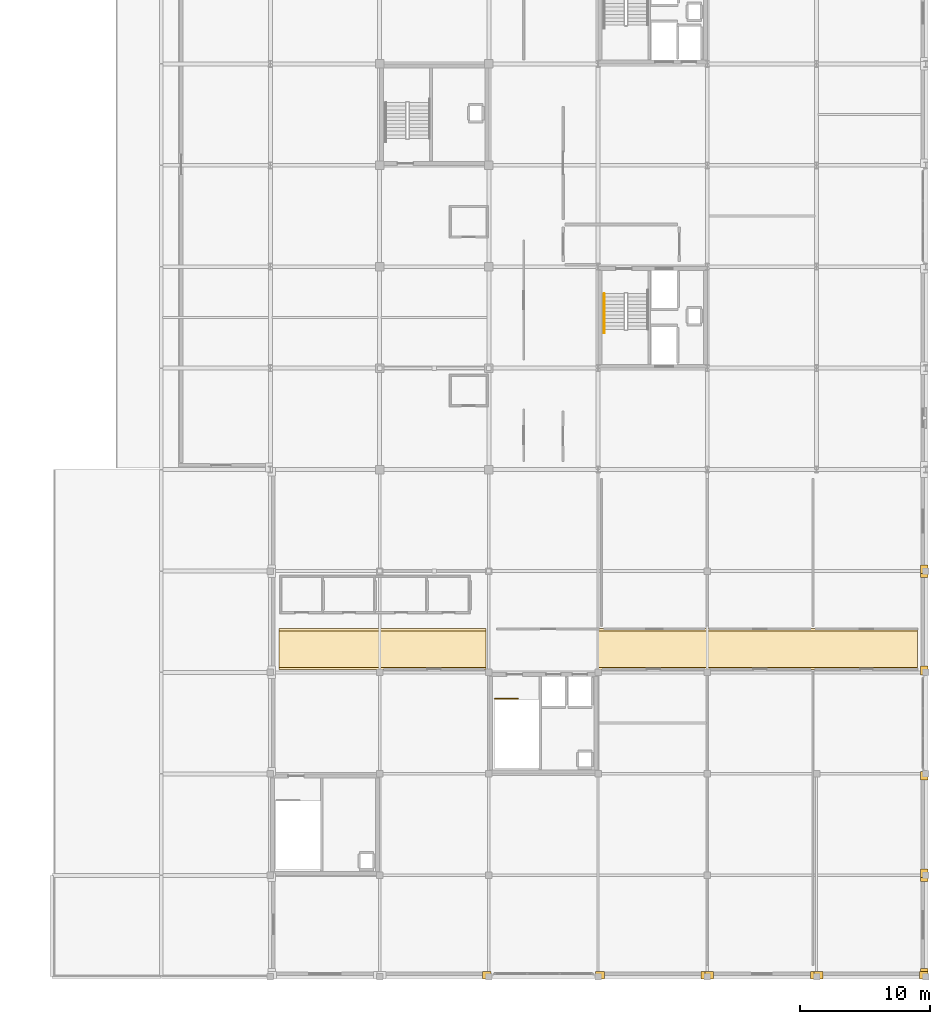
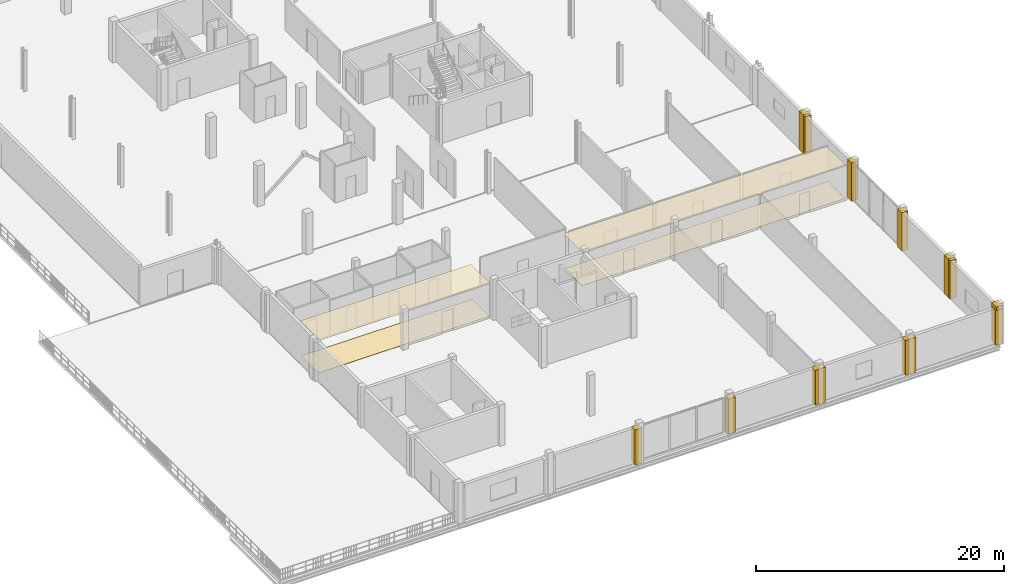
# One storey, part 38 of 41: 18 coverings, 2 railings.
"""IFC4 building model written with IfcOpenShell, lengths in metres."""

import ifcopenshell
import ifcopenshell.guid

model = None  # the IFC model being written
_history = None  # IfcOwnerHistory: only IFC2X3 demands one
_inside = {}  # id of a spatial element -> (the spatial element, [elements in it])
_under = {}  # id of a project, library or spatial element -> (it, [spatial elements below it])
_declared = {}  # id of a project -> (the project, [libraries it declares])
_typed = {}  # id of a type object -> (the type object, [elements of that type])
_made_of = {}  # id of a material, layer set ... -> (it, [elements and type objects made of it])


def new_model(schema):
    """Start an empty IFC model of exactly this schema.

    Asked for "IFC4X3", IfcOpenShell would pick the latest addendum, in which some entities
    have other attributes; the version numbers below select the first issue.
    IFC2X3 requires an IfcOwnerHistory on every rooted entity: one is made here for all.
    """
    global model, _history
    if schema == "IFC4X3":
        model = ifcopenshell.file(schema_version=(4, 3, 0, 0))
    else:
        model = ifcopenshell.file(schema=schema)
    _inside.clear()
    _under.clear()
    _declared.clear()
    _typed.clear()
    _made_of.clear()
    _history = None
    if model.schema == "IFC2X3":
        org = make("IfcOrganization", Name="unknown")
        user = make(
            "IfcPersonAndOrganization",
            ThePerson=make("IfcPerson", FamilyName="unknown"),
            TheOrganization=org,
        )
        app = make(
            "IfcApplication",
            ApplicationDeveloper=org,
            Version="unknown",
            ApplicationFullName="unknown",
            ApplicationIdentifier="unknown",
        )
        _history = make(
            "IfcOwnerHistory",
            OwningUser=user,
            OwningApplication=app,
            ChangeAction="ADDED",
            CreationDate=0,
        )
    return model


def make(cls, **values):
    """One entity of the class cls with the attributes given. An attribute that is None is left unset."""
    return model.create_entity(
        cls, **{name: value for name, value in values.items() if value is not None}
    )


def rooted(cls, **values):
    """An entity with a GlobalId (a new one), such as an element, a storey or a relation."""
    return make(cls, GlobalId=ifcopenshell.guid.new(), OwnerHistory=_history, **values)


def si_unit(unit_type, name, prefix=None):
    """IfcSIUnit, for example si_unit("LENGTHUNIT", "METRE", prefix="MILLI")."""
    return make("IfcSIUnit", UnitType=unit_type, Prefix=prefix, Name=name)


def assignment(units):
    """IfcUnitAssignment: the units of a project."""
    return None if units is None else make("IfcUnitAssignment", Units=units)


def point(xyz):
    """IfcCartesianPoint."""
    return None if xyz is None else make("IfcCartesianPoint", Coordinates=xyz)


def direction(xyz):
    """IfcDirection."""
    return None if xyz is None else make("IfcDirection", DirectionRatios=xyz)


def frame(location, z_axis=None, x_axis=None):
    """IfcAxis2Placement3D, a coordinate frame: its origin and axes. An axis left out is left unset."""
    return make(
        "IfcAxis2Placement3D",
        Location=point(location),
        Axis=direction(z_axis),
        RefDirection=direction(x_axis),
    )


def frame_2d(location, x_axis=None):
    """IfcAxis2Placement2D, a coordinate frame in the plane: its origin and x axis."""
    return make(
        "IfcAxis2Placement2D", Location=point(location), RefDirection=direction(x_axis)
    )


def origin():
    """The frame at (0, 0, 0) with its axes left unset."""
    return frame((0.0, 0.0, 0.0))


def origin_2d():
    """The frame at (0, 0) in the plane with its x axis left unset."""
    return frame_2d((0.0, 0.0))


def place(relative_to, where):
    """IfcLocalPlacement: puts the frame where relative to a parent placement (None: the world)."""
    return make(
        "IfcLocalPlacement", PlacementRelTo=relative_to, RelativePlacement=where
    )


def context(
    kind, dimensions, precision=None, world=None, true_north=None, identifier=None
):
    """IfcGeometricRepresentationContext, for example the 3D "Model" context."""
    return make(
        "IfcGeometricRepresentationContext",
        ContextIdentifier=identifier,
        ContextType=kind,
        CoordinateSpaceDimension=dimensions,
        Precision=precision,
        WorldCoordinateSystem=world,
        TrueNorth=true_north,
    )


def subcontext(parent, identifier, kind, view, scale=None):
    """IfcGeometricRepresentationSubContext, for example "Body" below "Model"."""
    return make(
        "IfcGeometricRepresentationSubContext",
        ContextIdentifier=identifier,
        ContextType=kind,
        ParentContext=parent,
        TargetScale=scale,
        TargetView=view,
    )


def project(units=None, contexts=None):
    """IfcProject with its units and contexts."""
    return rooted(
        "IfcProject",
        Name="project",
        RepresentationContexts=contexts,
        UnitsInContext=assignment(units),
    )


def spatial(cls, under=None, at=None, **own):
    """A site, building, storey or space (cls), placed at a placement, below another one or the project."""
    s = rooted(cls, ObjectPlacement=at, **own)
    if under is not None:
        _under.setdefault(under.id(), (under, []))[1].append(s)
    return s


def polyline(points):
    """IfcPolyline through the points."""
    return make("IfcPolyline", Points=[point(p) for p in points])


def profile(cls, at=None, kind="AREA", **sizes):
    """A parametric profile (cls). Its sizes go by their IFC names, for example OverallWidth=200.0."""
    return make(cls, ProfileType=kind, Position=at, **sizes)


def circle(**sizes):
    """IfcCircleProfileDef."""
    return profile("IfcCircleProfileDef", **sizes)


def outline(outer, holes=None, kind="AREA"):
    """IfcArbitraryClosedProfileDef: a profile drawn as a closed curve; with holes, ...WithVoids."""
    if holes is None:
        return make("IfcArbitraryClosedProfileDef", ProfileType=kind, OuterCurve=outer)
    return make(
        "IfcArbitraryProfileDefWithVoids",
        ProfileType=kind,
        OuterCurve=outer,
        InnerCurves=holes,
    )


def extrude(swept, where, along, depth):
    """IfcExtrudedAreaSolid: the profile swept, set in the frame where, extruded along a direction by depth."""
    return make(
        "IfcExtrudedAreaSolid",
        SweptArea=swept,
        Position=where,
        ExtrudedDirection=direction(along),
        Depth=depth,
    )


def shape(context_of_items, identifier, shape_type, items):
    """IfcShapeRepresentation: the items that make up one representation, for example the "Body"."""
    return make(
        "IfcShapeRepresentation",
        ContextOfItems=context_of_items,
        RepresentationIdentifier=identifier,
        RepresentationType=shape_type,
        Items=items,
    )


def material(Name=None, Category=None):
    """IfcMaterial."""
    return make("IfcMaterial", Name=Name, Category=Category)


def layer(
    of_material, thickness, ventilated=None, Name=None, Category=None, Priority=None
):
    """IfcMaterialLayer: one layer of a wall or slab, of a material (None: an air gap)."""
    return make(
        "IfcMaterialLayer",
        Material=of_material,
        LayerThickness=thickness,
        IsVentilated=ventilated,
        Name=Name,
        Category=Category,
        Priority=Priority,
    )


def layer_set(layers, Name=None):
    """IfcMaterialLayerSet."""
    return make("IfcMaterialLayerSet", MaterialLayers=layers, LayerSetName=Name)


def made_of(thing, what):
    """Note that an element or type object is made of a material, layer set ...; save() writes the relation."""
    if what is not None:
        _made_of.setdefault(what.id(), (what, []))[1].append(thing)
    return thing


def type_object(cls, material=None, **own):
    """A type object (cls), such as IfcWallType, which elements share."""
    return made_of(rooted(cls, **own), material)


def element(
    cls,
    number,
    at=None,
    inside=None,
    cuts=None,
    type_object=None,
    material=None,
    context=None,
    identifier="Body",
    shape_type=None,
    held_by="IfcProductDefinitionShape",
    body=None,
    shapes=None,
    **own,
):
    """One element of the class cls, such as IfcWall. Its Tag is "e" and its number.

    at: its placement. inside: the storey or other place that contains it. cuts: it is an
    opening in that element (IfcRelVoidsElement). A single representation is given by context,
    identifier, shape_type and body (its items); several are given by shapes. held_by: the class
    of the entity that holds the representations. save() writes the other relations.
    """
    e = rooted(cls, Tag="e%d" % number, ObjectPlacement=at, **own)
    if body is not None:
        shapes = [shape(context, identifier, shape_type, body)]
    if shapes is not None:
        e.Representation = make(held_by, Representations=shapes)
    if inside is not None:
        _inside.setdefault(inside.id(), (inside, []))[1].append(e)
    if cuts is not None:
        rooted(
            "IfcRelVoidsElement", RelatingBuildingElement=cuts, RelatedOpeningElement=e
        )
    if type_object is not None:
        _typed.setdefault(type_object.id(), (type_object, []))[1].append(e)
    return made_of(e, material)


def aggregate(whole, parts):
    """IfcRelAggregates: a whole, such as a stair, and the parts it consists of."""
    return rooted("IfcRelAggregates", RelatingObject=whole, RelatedObjects=parts)


def save(model, path):
    """Write the relations noted so far, then the file.

    IfcRelAggregates (storeys below a building ...), IfcRelContainedInSpatialStructure (elements
    in a storey), IfcRelDefinesByType, IfcRelAssociatesMaterial and IfcRelDeclares: one each for
    every whole, place, type object, material and project.
    """
    for whole, parts in _under.values():
        aggregate(whole, parts)
    for where, things in _inside.values():
        rooted(
            "IfcRelContainedInSpatialStructure",
            RelatedElements=things,
            RelatingStructure=where,
        )
    for kind, things in _typed.values():
        rooted("IfcRelDefinesByType", RelatedObjects=things, RelatingType=kind)
    for what, things in _made_of.values():
        rooted("IfcRelAssociatesMaterial", RelatedObjects=things, RelatingMaterial=what)
    for by, libraries in _declared.values():
        rooted("IfcRelDeclares", RelatingContext=by, RelatedDefinitions=libraries)
    model.write(path)


model = new_model("IFC4")

# Units and contexts
model_context = context("Model", 3, precision=1e-05, world=origin(), true_north=direction((0.0, 1.0)))
body_context = subcontext(model_context, "Body", "Model", "MODEL_VIEW")
ifc_project = project(units=[si_unit("LENGTHUNIT", "METRE"), si_unit("AREAUNIT", "SQUARE_METRE"), si_unit("VOLUMEUNIT", "CUBIC_METRE"), si_unit("PLANEANGLEUNIT", "RADIAN"), si_unit("MASSUNIT", "GRAM", prefix="KILO")], contexts=[model_context])

# Site, building, storey
site_placement = place(None, origin())
site = spatial("IfcSite", under=ifc_project, at=site_placement, CompositionType="ELEMENT")
building_placement = place(site_placement, origin())
building = spatial("IfcBuilding", under=site, at=building_placement, Name="Nabrawat Pavilion Hospital", CompositionType="ELEMENT")
storey_placement = place(building_placement, frame((0.0, 0.0, 18.89990234375)))
storey = spatial("IfcBuildingStorey", under=building, at=storey_placement, Name="L04", CompositionType="ELEMENT", Elevation=18.89990234375)

# Coverings
ifc_material_1 = material(Name="Precast concrete C40/50", Category="concrete")
ifc_layer_1 = layer(ifc_material_1, 0.360107421875, Name="Precast concrete C40/50")
ifc_layer_set_1 = layer_set([ifc_layer_1], Name="Precast concrete C40/50")
covering_type_1 = type_object("IfcCoveringType", Name="Architectural Precast Column-Jamb Closure Reveal", PredefinedType="CLADDING", material=ifc_layer_set_1)
covering_1_placement = place(storey_placement, origin())
element("IfcCovering", 1, at=covering_1_placement, inside=storey, type_object=covering_type_1, Name="L04 Precast Facade Column-Jamb Weatherseal Closure 0548", PredefinedType="CLADDING", context=body_context, shape_type="SweptSolid", body=[
    extrude(outline(polyline([(159.780029296875, -0.179931640625), (159.780029296875, 0.39990234375), (159.1201171875, 0.39990234375), (159.1201171875, -0.179931640625), (159.780029296875, -0.179931640625)])), origin(), (0.0, 0.0, 1.0), 3.440185546875),
])
covering_2_placement = place(storey_placement, origin())
element("IfcCovering", 2, at=covering_2_placement, inside=storey, type_object=covering_type_1, Name="L04 Precast Facade Column-Jamb Weatherseal Closure 0549", PredefinedType="CLADDING", context=body_context, shape_type="SweptSolid", body=[
    extrude(outline(polyline([(168.47998046875, -0.179931640625), (168.47998046875, 0.39990234375), (167.820068359375, 0.39990234375), (167.820068359375, -0.179931640625), (168.47998046875, -0.179931640625)])), origin(), (0.0, 0.0, 1.0), 3.440185546875),
])
covering_3_placement = place(storey_placement, origin())
element("IfcCovering", 3, at=covering_3_placement, inside=storey, type_object=covering_type_1, Name="L04 Precast Facade Column-Jamb Weatherseal Closure 0550", PredefinedType="CLADDING", context=body_context, shape_type="SweptSolid", body=[
    extrude(outline(polyline([(176.580078125, -0.179931640625), (176.580078125, 0.39990234375), (175.919921875, 0.39990234375), (175.919921875, -0.179931640625), (176.580078125, -0.179931640625)])), origin(), (0.0, 0.0, 1.0), 3.440185546875),
])
covering_4_placement = place(storey_placement, origin())
element("IfcCovering", 4, at=covering_4_placement, inside=storey, type_object=covering_type_1, Name="L04 Precast Facade Column-Jamb Weatherseal Closure 0551", PredefinedType="CLADDING", context=body_context, shape_type="SweptSolid", body=[
    extrude(outline(polyline([(176.8798828125, -0.179931640625), (176.8798828125, 0.39990234375), (176.219970703125, 0.39990234375), (176.219970703125, -0.179931640625), (176.8798828125, -0.179931640625)])), origin(), (0.0, 0.0, 1.0), 3.440185546875),
])
covering_5_placement = place(storey_placement, origin())
element("IfcCovering", 5, at=covering_5_placement, inside=storey, type_object=covering_type_1, Name="L04 Precast Facade Column-Jamb Weatherseal Closure 0552", PredefinedType="CLADDING", context=body_context, shape_type="SweptSolid", body=[
    extrude(outline(polyline([(184.97998046875, -0.179931640625), (184.97998046875, 0.39990234375), (184.320068359375, 0.39990234375), (184.320068359375, -0.179931640625), (184.97998046875, -0.179931640625)])), origin(), (0.0, 0.0, 1.0), 3.440185546875),
])
covering_6_placement = place(storey_placement, origin())
element("IfcCovering", 6, at=covering_6_placement, inside=storey, type_object=covering_type_1, Name="L04 Precast Facade Column-Jamb Weatherseal Closure 0553", PredefinedType="CLADDING", context=body_context, shape_type="SweptSolid", body=[
    extrude(outline(polyline([(185.280029296875, -0.179931640625), (185.280029296875, 0.39990234375), (184.6201171875, 0.39990234375), (184.6201171875, -0.179931640625), (185.280029296875, -0.179931640625)])), origin(), (0.0, 0.0, 1.0), 3.440185546875),
])
covering_7_placement = place(storey_placement, origin())
element("IfcCovering", 7, at=covering_7_placement, inside=storey, type_object=covering_type_1, Name="L04 Precast Facade Column-Jamb Weatherseal Closure 0554", PredefinedType="CLADDING", context=body_context, shape_type="SweptSolid", body=[
    extrude(outline(polyline([(193.3798828125, -0.179931640625), (193.3798828125, 0.39990234375), (192.719970703125, 0.39990234375), (192.719970703125, -0.179931640625), (193.3798828125, -0.179931640625)])), origin(), (0.0, 0.0, 1.0), 3.440185546875),
])
covering_8_placement = place(storey_placement, origin())
element("IfcCovering", 8, at=covering_8_placement, inside=storey, type_object=covering_type_1, Name="L04 Precast Facade Column-Jamb Weatherseal Closure 0555", PredefinedType="CLADDING", context=body_context, shape_type="SweptSolid", body=[
    extrude(outline(polyline([(193.3798828125, -0.179931640625), (193.3798828125, 0.6201171875), (192.800048828125, 0.6201171875), (192.800048828125, -0.179931640625), (193.3798828125, -0.179931640625)])), origin(), (0.0, 0.0, 1.0), 3.77001953125),
])
covering_9_placement = place(storey_placement, origin())
element("IfcCovering", 9, at=covering_9_placement, inside=storey, type_object=covering_type_1, Name="L04 Precast Facade Column-Jamb Weatherseal Closure 0556", PredefinedType="CLADDING", context=body_context, shape_type="SweptSolid", body=[
    extrude(outline(polyline([(193.3798828125, 7.320068359375), (193.3798828125, 7.97998046875), (192.800048828125, 7.97998046875), (192.800048828125, 7.320068359375), (193.3798828125, 7.320068359375)])), origin(), (0.0, 0.0, 1.0), 3.77001953125),
])
covering_10_placement = place(storey_placement, origin())
element("IfcCovering", 10, at=covering_10_placement, inside=storey, type_object=covering_type_1, Name="L04 Precast Facade Column-Jamb Weatherseal Closure 0557", PredefinedType="CLADDING", context=body_context, shape_type="SweptSolid", body=[
    extrude(outline(polyline([(193.3798828125, 7.6201171875), (193.3798828125, 8.280029296875), (192.800048828125, 8.280029296875), (192.800048828125, 7.6201171875), (193.3798828125, 7.6201171875)])), origin(), (0.0, 0.0, 1.0), 3.77001953125),
])
covering_11_placement = place(storey_placement, origin())
element("IfcCovering", 11, at=covering_11_placement, inside=storey, type_object=covering_type_1, Name="L04 Precast Facade Column-Jamb Weatherseal Closure 0558", PredefinedType="CLADDING", context=body_context, shape_type="SweptSolid", body=[
    extrude(outline(polyline([(193.3798828125, 15.1201171875), (193.3798828125, 15.780029296875), (192.800048828125, 15.780029296875), (192.800048828125, 15.1201171875), (193.3798828125, 15.1201171875)])), origin(), (0.0, 0.0, 1.0), 3.77001953125),
])
covering_12_placement = place(storey_placement, origin())
element("IfcCovering", 12, at=covering_12_placement, inside=storey, type_object=covering_type_1, Name="L04 Precast Facade Column-Jamb Weatherseal Closure 0559", PredefinedType="CLADDING", context=body_context, shape_type="SweptSolid", body=[
    extrude(outline(polyline([(193.3798828125, 23.219970703125), (193.3798828125, 23.8798828125), (192.800048828125, 23.8798828125), (192.800048828125, 23.219970703125), (193.3798828125, 23.219970703125)])), origin(), (0.0, 0.0, 1.0), 3.77001953125),
])
covering_13_placement = place(storey_placement, origin())
element("IfcCovering", 13, at=covering_13_placement, inside=storey, type_object=covering_type_1, Name="L04 Precast Facade Column-Jamb Weatherseal Closure 0560", PredefinedType="CLADDING", context=body_context, shape_type="SweptSolid", body=[
    extrude(outline(polyline([(193.3798828125, 30.719970703125), (193.3798828125, 31.3798828125), (192.800048828125, 31.3798828125), (192.800048828125, 30.719970703125), (193.3798828125, 30.719970703125)])), origin(), (0.0, 0.0, 1.0), 3.77001953125),
])
covering_14_placement = place(storey_placement, origin())
element("IfcCovering", 14, at=covering_14_placement, inside=storey, type_object=covering_type_1, Name="L04 Precast Facade Column-Jamb Weatherseal Closure 0561", PredefinedType="CLADDING", context=body_context, shape_type="SweptSolid", body=[
    extrude(outline(polyline([(193.3798828125, 31.02001953125), (193.3798828125, 31.679931640625), (192.800048828125, 31.679931640625), (192.800048828125, 31.02001953125), (193.3798828125, 31.02001953125)])), origin(), (0.0, 0.0, 1.0), 3.77001953125),
])
ifc_material_2 = material(Name="Mineral-Fibre Hygienic Acoustic Board", Category="gypsum")
ifc_layer_2 = layer(ifc_material_2, 0.02490234375, Name="Mineral-Fibre Hygienic Acoustic Board")
ifc_layer_set_2 = layer_set([ifc_layer_2], Name="Mineral-Fibre Hygienic Acoustic Board")
covering_type_2 = type_object("IfcCoveringType", Name="Hygienic Anti-Bacterial Acoustic Tile Ceiling", PredefinedType="CEILING", material=ifc_layer_set_2)
covering_15_placement = place(storey_placement, frame((0.0, 0.0, 3.320068359375)))
element("IfcCovering", 15, at=covering_15_placement, inside=storey, type_object=covering_type_2, Name="L04 Clinical Corridor Acoustic Ceiling 09", PredefinedType="CEILING", context=body_context, shape_type="SweptSolid", body=[
    extrude(outline(polyline([(159.39990234375, 23.6201171875), (159.39990234375, 26.780029296875), (143.449951171875, 26.780029296875), (143.449951171875, 23.6201171875), (159.39990234375, 23.6201171875)])), origin(), (0.0, 0.0, 1.0), 0.025146484375),
])
covering_16_placement = place(storey_placement, frame((0.0, 0.0, 3.320068359375)))
element("IfcCovering", 16, at=covering_16_placement, inside=storey, type_object=covering_type_2, Name="L04 Clinical Corridor Acoustic Ceiling 10", PredefinedType="CEILING", context=body_context, shape_type="SweptSolid", body=[
    extrude(outline(polyline([(192.550048828125, 23.6201171875), (192.550048828125, 26.780029296875), (168.0, 26.780029296875), (168.0, 23.6201171875), (192.550048828125, 23.6201171875)])), origin(), (0.0, 0.0, 1.0), 0.025146484375),
])
ifc_material_3 = material(Name="Homogeneous Medical PVC Vinyl", Category="plastic")
ifc_layer_3 = layer(ifc_material_3, 0.014892578125, Name="Homogeneous Medical PVC Vinyl")
ifc_layer_set_3 = layer_set([ifc_layer_3], Name="Homogeneous Medical PVC Vinyl")
covering_type_3 = type_object("IfcCoveringType", Name="Seamless Anti-Static Medical Vinyl Flooring", PredefinedType="FLOORING", material=ifc_layer_set_3)
covering_17_placement = place(storey_placement, origin())
element("IfcCovering", 17, at=covering_17_placement, inside=storey, type_object=covering_type_3, Name="L04 Clinical Corridor Medical Vinyl Flooring 09", PredefinedType="FLOORING", context=body_context, shape_type="SweptSolid", body=[
    extrude(outline(polyline([(159.39990234375, 23.800048828125), (159.39990234375, 26.60009765625), (143.449951171875, 26.60009765625), (143.449951171875, 23.800048828125), (159.39990234375, 23.800048828125)])), origin(), (0.0, 0.0, 1.0), 0.01513671875),
])
covering_18_placement = place(storey_placement, origin())
element("IfcCovering", 18, at=covering_18_placement, inside=storey, type_object=covering_type_3, Name="L04 Clinical Corridor Medical Vinyl Flooring 10", PredefinedType="FLOORING", context=body_context, shape_type="SweptSolid", body=[
    extrude(outline(polyline([(192.550048828125, 23.800048828125), (192.550048828125, 26.60009765625), (168.0, 26.60009765625), (168.0, 23.800048828125), (192.550048828125, 23.800048828125)])), origin(), (0.0, 0.0, 1.0), 0.01513671875),
])

# Railings
ifc_material_4 = material(Name="Stainless Steel 316", Category="steel")
ifc_layer_4 = layer(ifc_material_4, 0.050048828125, Name="Stainless Steel 316")
ifc_layer_set_4 = layer_set([ifc_layer_4], Name="Stainless Steel 316")
railing_type_1 = type_object("IfcRailingType", Name="Stair Open-Well Safety Guardrail 1100", PredefinedType="GUARDRAIL", material=ifc_layer_set_4)
railing_1_placement = place(storey_placement, frame((160.050048828125, 21.3798828125, 0.0)))
element("IfcRailing", 19, at=railing_1_placement, inside=storey, type_object=railing_type_1, Name="L04 ST-04 top well guard 1", PredefinedType="GUARDRAIL", context=body_context, shape_type="SweptSolid", body=[
    extrude(circle(Radius=0.02392578125, at=origin_2d()), frame((0.0, 0.0, 1.076171875), z_axis=(1.0, 0.0, 0.0), x_axis=(0.0, 1.0, 0.0)), (0.0, 0.0, 1.0), 1.800048828125),
    extrude(circle(Radius=0.02392578125, at=origin_2d()), frame((0.0, 0.0, 0.10009765625), z_axis=(1.0, 0.0, 0.0), x_axis=(0.0, 1.0, 0.0)), (0.0, 0.0, 1.0), 1.800048828125),
    extrude(circle(Radius=0.02392578125, at=origin_2d()), frame((0.0, 0.0, 0.60498046875), z_axis=(1.0, 0.0, 0.0), x_axis=(0.0, 1.0, 0.0)), (0.0, 0.0, 1.0), 1.800048828125),
    extrude(circle(Radius=0.008056640625, at=origin_2d()), frame((0.22509765625, 0.0, 0.10009765625)), (0.0, 0.0, 1.0), 0.951904296875),
    extrude(circle(Radius=0.008056640625, at=origin_2d()), frame((0.449951171875, 0.0, 0.10009765625)), (0.0, 0.0, 1.0), 0.951904296875),
    extrude(circle(Radius=0.008056640625, at=origin_2d()), frame((0.675048828125, 0.0, 0.10009765625)), (0.0, 0.0, 1.0), 0.951904296875),
    extrude(circle(Radius=0.008056640625, at=origin_2d()), frame((1.125, 0.0, 0.10009765625)), (0.0, 0.0, 1.0), 0.951904296875),
    extrude(circle(Radius=0.008056640625, at=origin_2d()), frame((1.35009765625, 0.0, 0.10009765625)), (0.0, 0.0, 1.0), 0.951904296875),
    extrude(circle(Radius=0.008056640625, at=origin_2d()), frame((1.574951171875, 0.0, 0.10009765625)), (0.0, 0.0, 1.0), 0.951904296875),
    extrude(circle(Radius=0.02099609375, at=origin_2d()), origin(), (0.0, 0.0, 1.0), 1.052001953125),
    extrude(circle(Radius=0.02099609375, at=origin_2d()), frame((0.89990234375, 0.0, 0.0)), (0.0, 0.0, 1.0), 1.052001953125),
    extrude(circle(Radius=0.02099609375, at=origin_2d()), frame((1.800048828125, 0.0, 0.0)), (0.0, 0.0, 1.0), 1.052001953125),
])
ifc_layer_5 = layer(ifc_material_4, 0.044921875, Name="Stainless Steel 316")
ifc_layer_set_5 = layer_set([ifc_layer_5], Name="Stainless Steel 316")
railing_type_2 = type_object("IfcRailingType", Name="Stair Pitch Continuous Handrail 920", PredefinedType="HANDRAIL", material=ifc_layer_set_5)
railing_2_placement = place(storey_placement, frame((168.47509765625, 52.530029296875, 0.188232421875)))
element("IfcRailing", 20, at=railing_2_placement, inside=storey, type_object=railing_type_2, Name="L04 ST-05 stair handrail 1", PredefinedType="HANDRAIL", context=body_context, shape_type="SweptSolid", body=[
    extrude(circle(Radius=0.02392578125, at=origin_2d()), frame((0.0, 0.0, 0.89599609375), z_axis=(0.0, -0.831017067507, 0.556246917755), x_axis=(1.0, 0.0, 0.0)), (0.0, 0.0, 1.0), 3.640380859375),
    extrude(circle(Radius=0.02099609375, at=origin_2d()), origin(), (0.0, 0.0, 1.0), 0.871826171875),
    extrude(circle(Radius=0.02099609375, at=origin_2d()), frame((0.0, -0.75634765625, 0.50634765625)), (0.0, 0.0, 1.0), 0.871826171875),
    extrude(circle(Radius=0.02099609375, at=origin_2d()), frame((0.0, -1.5126953125, 1.012451171875)), (0.0, 0.0, 1.0), 0.871826171875),
    extrude(circle(Radius=0.02099609375, at=origin_2d()), frame((0.0, -2.268798828125, 1.5185546875)), (0.0, 0.0, 1.0), 0.871826171875),
    extrude(circle(Radius=0.02099609375, at=origin_2d()), frame((0.0, -3.025146484375, 2.02490234375)), (0.0, 0.0, 1.0), 0.871826171875),
])

save(model, "model.ifc")
